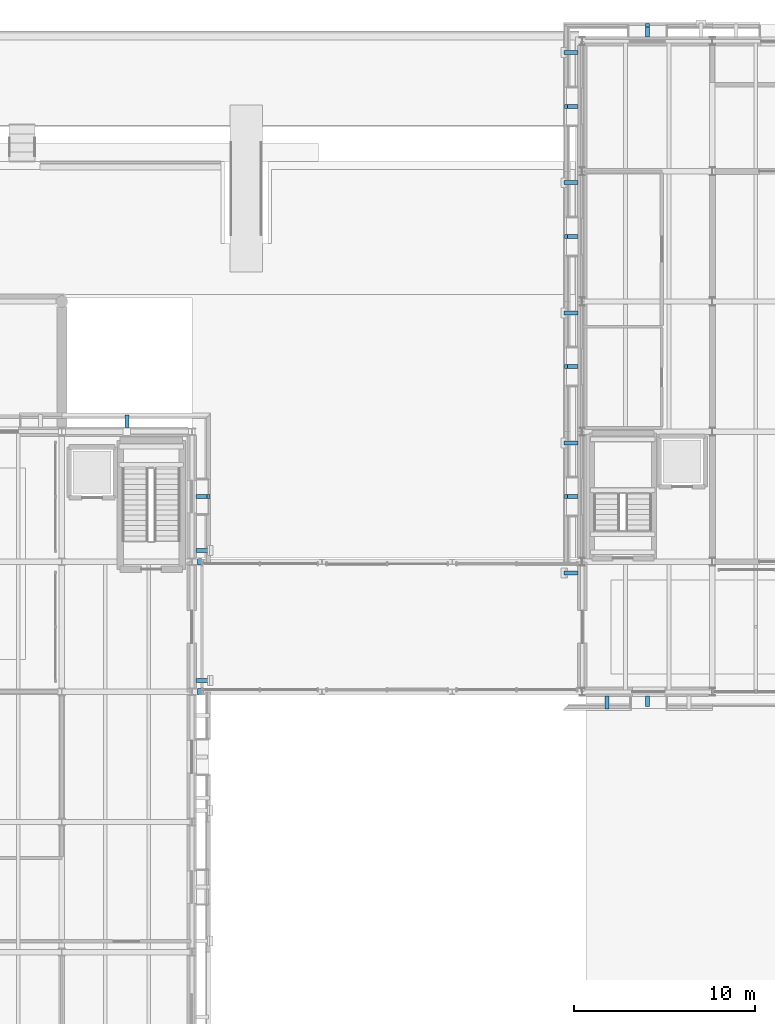
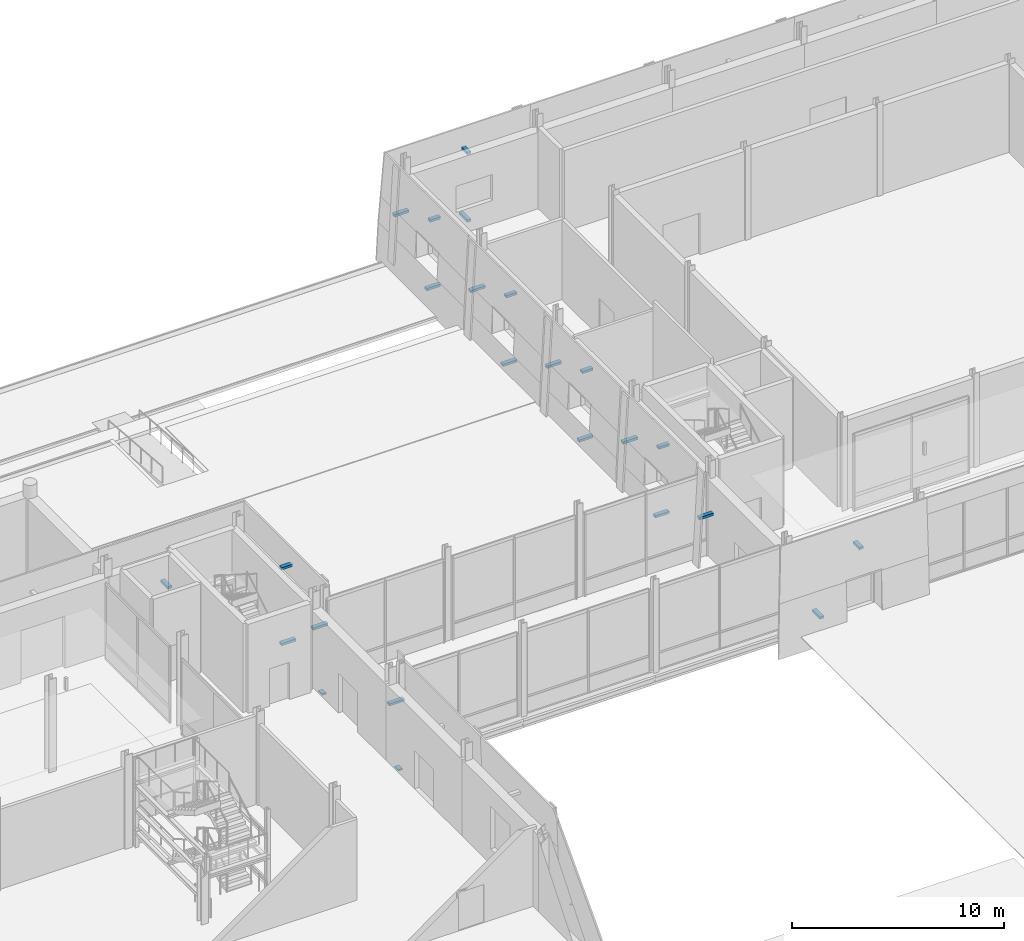
# One storey, part 93 of 120: 24 discrete accessories.
"""IFC4 building model written with IfcOpenShell, lengths in metres."""

from ifc_helpers import new_model, si_unit, direction, frame, origin, origin_2d, place, context, subcontext, project, spatial, rectangle, extrude, material, layer, layer_set, type_object, element, save


model = new_model("IFC4")

# Units and contexts
model_context = context("Model", 3, precision=1e-05, world=origin(), true_north=direction((0.0, 1.0)))
body_context = subcontext(model_context, "Body", "Model", "MODEL_VIEW")
ifc_project = project(units=[si_unit("LENGTHUNIT", "METRE"), si_unit("AREAUNIT", "SQUARE_METRE"), si_unit("VOLUMEUNIT", "CUBIC_METRE"), si_unit("PLANEANGLEUNIT", "RADIAN"), si_unit("MASSUNIT", "GRAM", prefix="KILO")], contexts=[model_context])

# Site, building, storey
site_placement = place(None, origin())
site = spatial("IfcSite", under=ifc_project, at=site_placement, CompositionType="ELEMENT")
building_placement = place(site_placement, origin())
building = spatial("IfcBuilding", under=site, at=building_placement, Name="Narikvali Park Central Library", CompositionType="ELEMENT")
storey_placement = place(building_placement, origin())
storey = spatial("IfcBuildingStorey", under=building, at=storey_placement, Name="L00", CompositionType="ELEMENT", Elevation=0.0)

# Discrete accessories
ifc_material = material(Name="Brushed Stainless Steel S355", Category="steel")
ifc_layer_1 = layer(ifc_material, 0.139892578125, Name="Brushed Stainless Steel S355")
ifc_layer_set_1 = layer_set([ifc_layer_1], Name="Brushed Stainless Steel S355")
discrete_accessory_type_1 = type_object("IfcDiscreteAccessoryType", Name="Cladding Stainless Tie-Back Corbel Bracket", PredefinedType="BRACKET", material=ifc_layer_set_1)
for number, where, z_axis, x_axis, name in (
    (1, (101.439697265625, 79.824951171875, 2.6298828125), (0.0, 0.0, 1.0), (1.0, 0.0, 0.0), "Limestone Cladding Tie-Back Bracket V1-PIL-L00-E-B04"),
    (2, (101.439697265625, 87.02490234375, 2.6298828125), (0.0, 0.0, 1.0), (1.0, 0.0, 0.0), "Limestone Cladding Tie-Back Bracket V1-PIL-L00-E-B05"),
):
    element("IfcDiscreteAccessory", number, at=place(storey_placement, frame(where, z_axis=z_axis, x_axis=x_axis)), inside=storey, type_object=discrete_accessory_type_1, Name=name, PredefinedType="BRACKET", context=body_context, shape_type="SweptSolid", body=[
        extrude(rectangle(XDim=0.819580078125, YDim=0.219970703125, at=origin_2d()), origin(), (0.0, 0.0, 1.0), 0.139892578125),
    ])
discrete_accessory_1_placement = place(storey_placement, frame((101.415771484375, 90.0, -0.06005859375), z_axis=(0.0, 0.0, 1.0), x_axis=(1.0, 0.0, 0.0)))
element("IfcDiscreteAccessory", 3, at=discrete_accessory_1_placement, inside=storey, type_object=discrete_accessory_type_1, Name="Limestone Cladding Tie-Back Bracket V1-CLD-L00-E-B05-SP", PredefinedType="BRACKET", context=body_context, shape_type="SweptSolid", body=[
    extrude(rectangle(XDim=0.771484375, YDim=0.219970703125, at=origin_2d()), origin(), (0.0, 0.0, 1.0), 0.139892578125),
])
discrete_accessory_2_placement = place(storey_placement, frame((101.33544921875, 90.0, 4.30517578125), z_axis=(0.0, 0.0, 1.0), x_axis=(1.0, 0.0, 0.0)))
element("IfcDiscreteAccessory", 4, at=discrete_accessory_2_placement, inside=storey, type_object=discrete_accessory_type_1, Name="Limestone Cladding Tie-Back Bracket V1-CLD-L00-E-B05-LN", PredefinedType="BRACKET", context=body_context, shape_type="SweptSolid", body=[
    extrude(rectangle(XDim=0.61083984375, YDim=0.219970703125, at=origin_2d()), origin(), (0.0, 0.0, 1.0), 0.139892578125),
])
discrete_accessory_3_placement = place(storey_placement, frame((97.199951171875, 94.169677734375, 2.18994140625), z_axis=(0.0, 0.0, 1.0), x_axis=(1.0, 0.0, 0.0)))
element("IfcDiscreteAccessory", 5, at=discrete_accessory_3_placement, inside=storey, type_object=discrete_accessory_type_1, Name="Limestone Cladding Tie-Back Bracket V1-CLD-L00-N-B01-FULL", PredefinedType="BRACKET", context=body_context, shape_type="SweptSolid", body=[
    extrude(rectangle(XDim=0.219970703125, YDim=0.679443359375, at=origin_2d()), origin(), (0.0, 0.0, 1.0), 0.139892578125),
])
discrete_accessory_4_placement = place(storey_placement, frame((123.758544921875, 78.604248046875, 0.60986328125), z_axis=(0.0, 0.0, 1.0), x_axis=(1.0, 0.0, 0.0)))
element("IfcDiscreteAccessory", 6, at=discrete_accessory_4_placement, inside=storey, type_object=discrete_accessory_type_1, Name="Limestone Cladding Tie-Back Bracket V3-CLD-L00-S-B01-DL", PredefinedType="BRACKET", context=body_context, shape_type="SweptSolid", body=[
    extrude(rectangle(XDim=0.219970703125, YDim=0.731689453125, at=origin_2d()), origin(), (0.0, 0.0, 1.0), 0.139892578125),
])
discrete_accessory_5_placement = place(storey_placement, frame((126.0, 78.674560546875, 3.75), z_axis=(0.0, 0.0, 1.0), x_axis=(1.0, 0.0, 0.0)))
element("IfcDiscreteAccessory", 7, at=discrete_accessory_5_placement, inside=storey, type_object=discrete_accessory_type_1, Name="Limestone Cladding Tie-Back Bracket V3-CLD-L00-S-B01-DH", PredefinedType="BRACKET", context=body_context, shape_type="SweptSolid", body=[
    extrude(rectangle(XDim=0.219970703125, YDim=0.591064453125, at=origin_2d()), origin(), (0.0, 0.0, 1.0), 0.139892578125),
])
discrete_accessory_6_placement = place(storey_placement, frame((126.0, 115.807373046875, 0.1650390625), z_axis=(0.0, 0.0, 1.0), x_axis=(1.0, 0.0, 0.0)))
element("IfcDiscreteAccessory", 8, at=discrete_accessory_6_placement, inside=storey, type_object=discrete_accessory_type_1, Name="Limestone Cladding Tie-Back Bracket V3-CLD-L00-N-B06-SP", PredefinedType="BRACKET", context=body_context, shape_type="SweptSolid", body=[
    extrude(rectangle(XDim=0.219970703125, YDim=0.7548828125, at=origin_2d()), origin(), (0.0, 0.0, 1.0), 0.139892578125),
])
discrete_accessory_7_placement = place(storey_placement, frame((126.0, 115.717529296875, 4.05517578125), z_axis=(0.0, 0.0, 1.0), x_axis=(1.0, 0.0, 0.0)))
element("IfcDiscreteAccessory", 9, at=discrete_accessory_7_placement, inside=storey, type_object=discrete_accessory_type_1, Name="Limestone Cladding Tie-Back Bracket V3-CLD-L00-N-B06-LN", PredefinedType="BRACKET", context=body_context, shape_type="SweptSolid", body=[
    extrude(rectangle(XDim=0.219970703125, YDim=0.5751953125, at=origin_2d()), origin(), (0.0, 0.0, 1.0), 0.139892578125),
])
discrete_accessory_8_placement = place(storey_placement, frame((121.775390625, 114.574951171875, 2.6298828125), z_axis=(0.0, 0.0, 1.0), x_axis=(1.0, 0.0, 0.0)))
element("IfcDiscreteAccessory", 10, at=discrete_accessory_8_placement, inside=storey, type_object=discrete_accessory_type_1, Name="Limestone Cladding Tie-Back Bracket V3-PIL-L00-W-B01", PredefinedType="BRACKET", context=body_context, shape_type="SweptSolid", body=[
    extrude(rectangle(XDim=0.789306640625, YDim=0.219970703125, at=origin_2d()), origin(), (0.0, 0.0, 1.0), 0.139892578125),
])
discrete_accessory_9_placement = place(storey_placement, frame((121.79248046875, 111.60009765625, 0.1650390625), z_axis=(0.0, 0.0, 1.0), x_axis=(1.0, 0.0, 0.0)))
element("IfcDiscreteAccessory", 11, at=discrete_accessory_9_placement, inside=storey, type_object=discrete_accessory_type_1, Name="Limestone Cladding Tie-Back Bracket V3-CLD-L00-W-B01-SP", PredefinedType="BRACKET", context=body_context, shape_type="SweptSolid", body=[
    extrude(rectangle(XDim=0.7548828125, YDim=0.219970703125, at=origin_2d()), origin(), (0.0, 0.0, 1.0), 0.139892578125),
])
discrete_accessory_10_placement = place(storey_placement, frame((121.882568359375, 111.60009765625, 4.05517578125), z_axis=(0.0, 0.0, 1.0), x_axis=(1.0, 0.0, 0.0)))
element("IfcDiscreteAccessory", 12, at=discrete_accessory_10_placement, inside=storey, type_object=discrete_accessory_type_1, Name="Limestone Cladding Tie-Back Bracket V3-CLD-L00-W-B01-LN", PredefinedType="BRACKET", context=body_context, shape_type="SweptSolid", body=[
    extrude(rectangle(XDim=0.5751953125, YDim=0.219970703125, at=origin_2d()), origin(), (0.0, 0.0, 1.0), 0.139892578125),
])
discrete_accessory_11_placement = place(storey_placement, frame((121.775390625, 107.375, 2.6298828125), z_axis=(0.0, 0.0, 1.0), x_axis=(1.0, 0.0, 0.0)))
element("IfcDiscreteAccessory", 13, at=discrete_accessory_11_placement, inside=storey, type_object=discrete_accessory_type_1, Name="Limestone Cladding Tie-Back Bracket V3-PIL-L00-W-B02", PredefinedType="BRACKET", context=body_context, shape_type="SweptSolid", body=[
    extrude(rectangle(XDim=0.789306640625, YDim=0.219970703125, at=origin_2d()), origin(), (0.0, 0.0, 1.0), 0.139892578125),
])
discrete_accessory_12_placement = place(storey_placement, frame((121.79248046875, 104.39990234375, 0.1650390625), z_axis=(0.0, 0.0, 1.0), x_axis=(1.0, 0.0, 0.0)))
element("IfcDiscreteAccessory", 14, at=discrete_accessory_12_placement, inside=storey, type_object=discrete_accessory_type_1, Name="Limestone Cladding Tie-Back Bracket V3-CLD-L00-W-B02-SP", PredefinedType="BRACKET", context=body_context, shape_type="SweptSolid", body=[
    extrude(rectangle(XDim=0.7548828125, YDim=0.219970703125, at=origin_2d()), origin(), (0.0, 0.0, 1.0), 0.139892578125),
])
discrete_accessory_13_placement = place(storey_placement, frame((121.882568359375, 104.39990234375, 4.05517578125), z_axis=(0.0, 0.0, 1.0), x_axis=(1.0, 0.0, 0.0)))
element("IfcDiscreteAccessory", 15, at=discrete_accessory_13_placement, inside=storey, type_object=discrete_accessory_type_1, Name="Limestone Cladding Tie-Back Bracket V3-CLD-L00-W-B02-LN", PredefinedType="BRACKET", context=body_context, shape_type="SweptSolid", body=[
    extrude(rectangle(XDim=0.5751953125, YDim=0.219970703125, at=origin_2d()), origin(), (0.0, 0.0, 1.0), 0.139892578125),
])
discrete_accessory_14_placement = place(storey_placement, frame((121.775390625, 100.175048828125, 2.6298828125), z_axis=(0.0, 0.0, 1.0), x_axis=(1.0, 0.0, 0.0)))
element("IfcDiscreteAccessory", 16, at=discrete_accessory_14_placement, inside=storey, type_object=discrete_accessory_type_1, Name="Limestone Cladding Tie-Back Bracket V3-PIL-L00-W-B03", PredefinedType="BRACKET", context=body_context, shape_type="SweptSolid", body=[
    extrude(rectangle(XDim=0.789306640625, YDim=0.219970703125, at=origin_2d()), origin(), (0.0, 0.0, 1.0), 0.139892578125),
])
discrete_accessory_15_placement = place(storey_placement, frame((121.79248046875, 97.199951171875, 0.1650390625), z_axis=(0.0, 0.0, 1.0), x_axis=(1.0, 0.0, 0.0)))
element("IfcDiscreteAccessory", 17, at=discrete_accessory_15_placement, inside=storey, type_object=discrete_accessory_type_1, Name="Limestone Cladding Tie-Back Bracket V3-CLD-L00-W-B03-SP", PredefinedType="BRACKET", context=body_context, shape_type="SweptSolid", body=[
    extrude(rectangle(XDim=0.7548828125, YDim=0.219970703125, at=origin_2d()), origin(), (0.0, 0.0, 1.0), 0.139892578125),
])
discrete_accessory_16_placement = place(storey_placement, frame((121.882568359375, 97.199951171875, 4.05517578125), z_axis=(0.0, 0.0, 1.0), x_axis=(1.0, 0.0, 0.0)))
element("IfcDiscreteAccessory", 18, at=discrete_accessory_16_placement, inside=storey, type_object=discrete_accessory_type_1, Name="Limestone Cladding Tie-Back Bracket V3-CLD-L00-W-B03-LN", PredefinedType="BRACKET", context=body_context, shape_type="SweptSolid", body=[
    extrude(rectangle(XDim=0.5751953125, YDim=0.219970703125, at=origin_2d()), origin(), (0.0, 0.0, 1.0), 0.139892578125),
])
discrete_accessory_17_placement = place(storey_placement, frame((121.775390625, 92.97509765625, 2.6298828125), z_axis=(0.0, 0.0, 1.0), x_axis=(1.0, 0.0, 0.0)))
element("IfcDiscreteAccessory", 19, at=discrete_accessory_17_placement, inside=storey, type_object=discrete_accessory_type_1, Name="Limestone Cladding Tie-Back Bracket V3-PIL-L00-W-B04", PredefinedType="BRACKET", context=body_context, shape_type="SweptSolid", body=[
    extrude(rectangle(XDim=0.789306640625, YDim=0.219970703125, at=origin_2d()), origin(), (0.0, 0.0, 1.0), 0.139892578125),
])
discrete_accessory_18_placement = place(storey_placement, frame((121.79248046875, 90.0, 0.1650390625), z_axis=(0.0, 0.0, 1.0), x_axis=(1.0, 0.0, 0.0)))
element("IfcDiscreteAccessory", 20, at=discrete_accessory_18_placement, inside=storey, type_object=discrete_accessory_type_1, Name="Limestone Cladding Tie-Back Bracket V3-CLD-L00-W-B04-SP", PredefinedType="BRACKET", context=body_context, shape_type="SweptSolid", body=[
    extrude(rectangle(XDim=0.7548828125, YDim=0.219970703125, at=origin_2d()), origin(), (0.0, 0.0, 1.0), 0.139892578125),
])
discrete_accessory_19_placement = place(storey_placement, frame((121.882568359375, 90.0, 4.05517578125), z_axis=(0.0, 0.0, 1.0), x_axis=(1.0, 0.0, 0.0)))
element("IfcDiscreteAccessory", 21, at=discrete_accessory_19_placement, inside=storey, type_object=discrete_accessory_type_1, Name="Limestone Cladding Tie-Back Bracket V3-CLD-L00-W-B04-LN", PredefinedType="BRACKET", context=body_context, shape_type="SweptSolid", body=[
    extrude(rectangle(XDim=0.5751953125, YDim=0.219970703125, at=origin_2d()), origin(), (0.0, 0.0, 1.0), 0.139892578125),
])
discrete_accessory_20_placement = place(storey_placement, frame((121.775390625, 85.77490234375, 2.6298828125), z_axis=(0.0, 0.0, 1.0), x_axis=(1.0, 0.0, 0.0)))
element("IfcDiscreteAccessory", 22, at=discrete_accessory_20_placement, inside=storey, type_object=discrete_accessory_type_1, Name="Limestone Cladding Tie-Back Bracket V3-PIL-L00-W-B05", PredefinedType="BRACKET", context=body_context, shape_type="SweptSolid", body=[
    extrude(rectangle(XDim=0.789306640625, YDim=0.219970703125, at=origin_2d()), origin(), (0.0, 0.0, 1.0), 0.139892578125),
])
ifc_layer_2 = layer(ifc_material, 0.080078125, Name="Brushed Stainless Steel S355")
ifc_layer_set_2 = layer_set([ifc_layer_2], Name="Brushed Stainless Steel S355")
discrete_accessory_type_2 = type_object("IfcDiscreteAccessoryType", Name="Unguided PTFE Sliding Bridge Bearing", PredefinedType="BRACKET", material=ifc_layer_set_2)
for number, where, z_axis, x_axis, name in (
    (23, (101.22998046875, 79.199951171875, -0.719970703125), (0.0, 0.0, 1.0), (1.0, 0.0, 0.0), "BRG-3 L00 Unguided PTFE Sliding Bearing 1"),
    (24, (101.22998046875, 86.39990234375, -0.719970703125), (0.0, 0.0, 1.0), (1.0, 0.0, 0.0), "BRG-3 L00 Unguided PTFE Sliding Bearing 2"),
):
    element("IfcDiscreteAccessory", number, at=place(storey_placement, frame(where, z_axis=z_axis, x_axis=x_axis)), inside=storey, type_object=discrete_accessory_type_2, Name=name, PredefinedType="BRACKET", context=body_context, shape_type="SweptSolid", body=[
        extrude(rectangle(XDim=0.239990234375, YDim=0.360107421875, at=origin_2d()), origin(), (0.0, 0.0, 1.0), 0.080078125),
    ])

save(model, "model.ifc")
